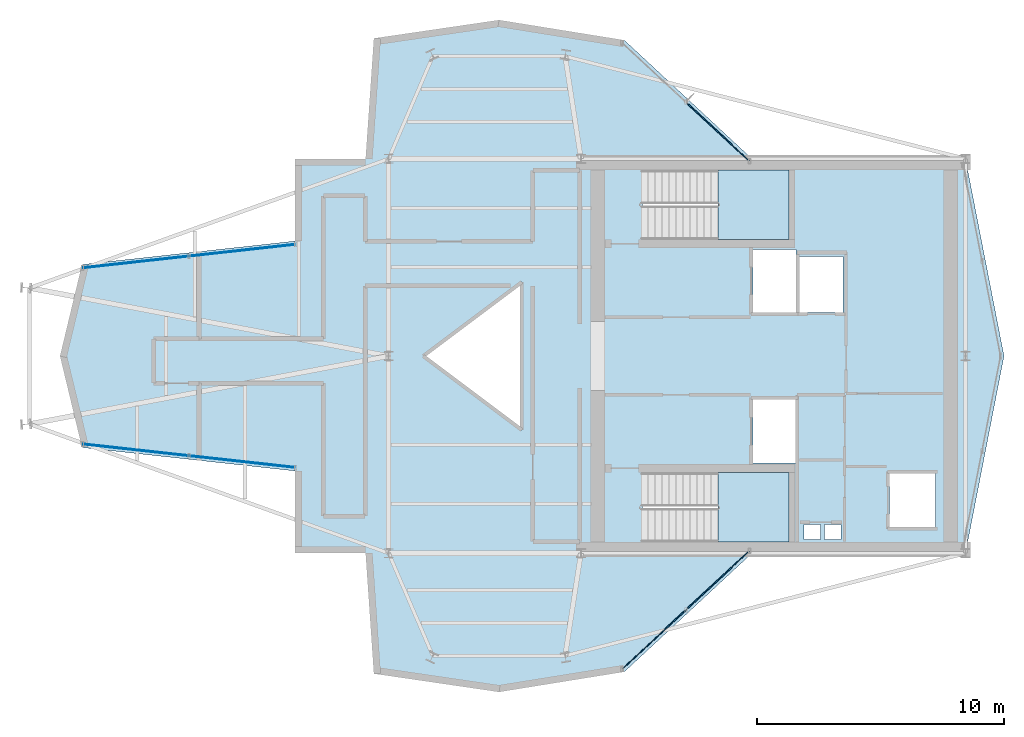
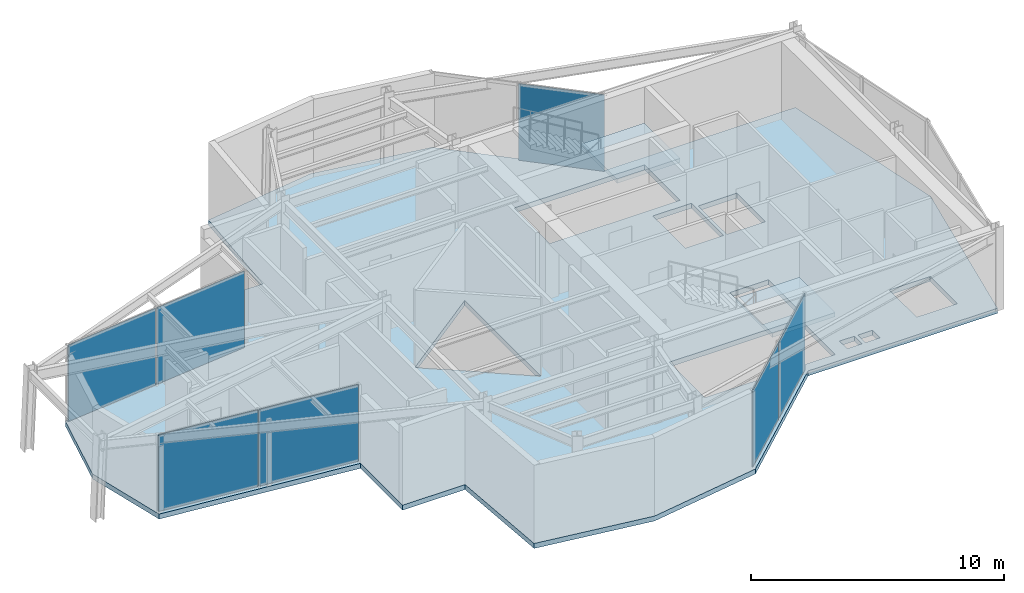
# One storey, part 7 of 11: 7 plates, 3 slabs, 6 elements without a shape of their own.
"""IFC4 building model written with IfcOpenShell, lengths in metres."""

from ifc_helpers import new_model, si_unit, direction, frame, origin, origin_2d, place, context, subcontext, project, spatial, polyline, rectangle, outline, extrude, material, layer, layer_set, type_object, element, aggregate, save


model = new_model("IFC4")

# Units and contexts
model_context = context("Model", 3, precision=1e-05, world=origin(), true_north=direction((0.0, 1.0)))
body_context = subcontext(model_context, "Body", "Model", "MODEL_VIEW")
ifc_project = project(units=[si_unit("LENGTHUNIT", "METRE"), si_unit("AREAUNIT", "SQUARE_METRE"), si_unit("VOLUMEUNIT", "CUBIC_METRE"), si_unit("PLANEANGLEUNIT", "RADIAN"), si_unit("MASSUNIT", "GRAM", prefix="KILO")], contexts=[model_context])

# Site, building, storey
site_placement = place(None, origin())
site = spatial("IfcSite", under=ifc_project, at=site_placement, CompositionType="ELEMENT")
building_placement = place(site_placement, origin())
building = spatial("IfcBuilding", under=site, at=building_placement, Name="Veymaron Broadcast Tower", CompositionType="ELEMENT")
storey_placement = place(building_placement, frame((0.0, 0.0, 323.550048828125)))
storey = spatial("IfcBuildingStorey", under=building, at=storey_placement, Name="L76", CompositionType="ELEMENT", Elevation=323.550048828125)

# Curtain wall, plate
ifc_material_1 = material(Name="Anodised aluminium AA 6063-T6 and laminated low-E dark glass", Category="aluminium")
ifc_layer_1 = layer(ifc_material_1, 0.179931640625)
ifc_layer_set_1 = layer_set([ifc_layer_1], Name="Anodised aluminium AA 6063-T6 and laminated low-E dark glass")
curtain_wall_type = type_object("IfcCurtainWallType", Name="CW-SYS-06", PredefinedType="NOTDEFINED", material=ifc_layer_set_1)
curtain_wall_1_placement = place(storey_placement, origin())
curtain_wall_1 = element("IfcCurtainWall", 1, at=curtain_wall_1_placement, inside=storey, type_object=curtain_wall_type, Name="L76 dark-glass curtain wall CW-L76-E5-1", PredefinedType="NOTDEFINED")
ifc_material_2 = material(Name="Insulated dark-anodised aluminium spandrel panel 40 mm", Category="aluminium")
ifc_layer_2 = layer(ifc_material_2, 0.0400390625)
ifc_layer_set_2 = layer_set([ifc_layer_2], Name="Insulated dark-anodised aluminium spandrel panel 40 mm")
plate_type = type_object("IfcPlateType", Name="CW-PNL-03", PredefinedType="CURTAIN_PANEL", material=ifc_layer_set_2)
plate_1_placement = place(storey_placement, frame((44.548828125, 33.1005859375, 0.0400390625), z_axis=(0.0, 0.0, 1.0), x_axis=(-0.732566659982, 0.680695297973, 0.0)))
plate_1 = element("IfcPlate", 2, at=plate_1_placement, type_object=plate_type, Name="CW-L76-E5-1 unitised curtain panel 0", PredefinedType="CURTAIN_PANEL", context=body_context, shape_type="SweptSolid", body=[
    extrude(rectangle(XDim=3.47509765625, YDim=0.0400390625, at=origin_2d()), origin(), (0.0, 0.0, 1.0), 3.68994140625),
])
aggregate(curtain_wall_1, [plate_1])

# Curtain wall, plates
curtain_wall_2_placement = place(storey_placement, origin())
curtain_wall_2 = element("IfcCurtainWall", 3, at=curtain_wall_2_placement, inside=storey, type_object=curtain_wall_type, Name="L76 dark-glass curtain wall CW-L76-E11-1", PredefinedType="NOTDEFINED")
plate_2_placement = place(storey_placement, frame((25.262451171875, 28.287353515625, 0.0400390625), z_axis=(0.0, 0.0, 1.0), x_axis=(-0.993995380455, -0.109422043637, 0.0)))
plate_2 = element("IfcPlate", 4, at=plate_2_placement, type_object=plate_type, Name="CW-L76-E11-1 unitised curtain panel 0", PredefinedType="CURTAIN_PANEL", context=body_context, shape_type="SweptSolid", body=[
    extrude(rectangle(XDim=4.291015625, YDim=0.0400390625, at=origin_2d()), origin(), (0.0, 0.0, 1.0), 3.68994140625),
])
plate_3_placement = place(storey_placement, frame((20.937744140625, 27.811279296875, 0.0400390625), z_axis=(0.0, 0.0, 1.0), x_axis=(-0.993995380455, -0.109422043637, 0.0)))
plate_3 = element("IfcPlate", 5, at=plate_3_placement, type_object=plate_type, Name="CW-L76-E11-1 unitised curtain panel 1", PredefinedType="CURTAIN_PANEL", context=body_context, shape_type="SweptSolid", body=[
    extrude(rectangle(XDim=4.291015625, YDim=0.0400390625, at=origin_2d()), origin(), (0.0, 0.0, 1.0), 3.68994140625),
])
aggregate(curtain_wall_2, [plate_2, plate_3])

curtain_wall_3_placement = place(storey_placement, origin())
curtain_wall_3 = element("IfcCurtainWall", 6, at=curtain_wall_3_placement, inside=storey, type_object=curtain_wall_type, Name="L76 dark-glass curtain wall CW-L76-E14-1", PredefinedType="NOTDEFINED")
plate_4_placement = place(storey_placement, frame((20.937744140625, 20.188720703125, 0.0400390625), z_axis=(0.0, 0.0, 1.0), x_axis=(0.993995380455, -0.109422043637, 0.0)))
plate_4 = element("IfcPlate", 7, at=plate_4_placement, type_object=plate_type, Name="CW-L76-E14-1 unitised curtain panel 0", PredefinedType="CURTAIN_PANEL", context=body_context, shape_type="SweptSolid", body=[
    extrude(rectangle(XDim=4.291015625, YDim=0.0400390625, at=origin_2d()), origin(), (0.0, 0.0, 1.0), 3.68994140625),
])
plate_5_placement = place(storey_placement, frame((25.262451171875, 19.712646484375, 0.0400390625), z_axis=(0.0, 0.0, 1.0), x_axis=(0.993995380455, -0.109422043637, 0.0)))
plate_5 = element("IfcPlate", 8, at=plate_5_placement, type_object=plate_type, Name="CW-L76-E14-1 unitised curtain panel 1", PredefinedType="CURTAIN_PANEL", context=body_context, shape_type="SweptSolid", body=[
    extrude(rectangle(XDim=4.291015625, YDim=0.0400390625, at=origin_2d()), origin(), (0.0, 0.0, 1.0), 3.68994140625),
])
aggregate(curtain_wall_3, [plate_4, plate_5])

curtain_wall_4_placement = place(storey_placement, origin())
curtain_wall_4 = element("IfcCurtainWall", 9, at=curtain_wall_4_placement, inside=storey, type_object=curtain_wall_type, Name="L76 dark-glass curtain wall CW-L76-E20-1", PredefinedType="NOTDEFINED")
plate_6_placement = place(storey_placement, frame((41.958984375, 12.492919921875, 0.0400390625), z_axis=(0.0, 0.0, 1.0), x_axis=(0.732566659982, 0.680695297973, 0.0)))
plate_6 = element("IfcPlate", 10, at=plate_6_placement, type_object=plate_type, Name="CW-L76-E20-1 unitised curtain panel 0", PredefinedType="CURTAIN_PANEL", context=body_context, shape_type="SweptSolid", body=[
    extrude(rectangle(XDim=3.47509765625, YDim=0.0400390625, at=origin_2d()), origin(), (0.0, 0.0, 1.0), 3.68994140625),
])
plate_7_placement = place(storey_placement, frame((44.548828125, 14.8994140625, 0.0400390625), z_axis=(0.0, 0.0, 1.0), x_axis=(0.732566659982, 0.680695297973, 0.0)))
plate_7 = element("IfcPlate", 11, at=plate_7_placement, type_object=plate_type, Name="CW-L76-E20-1 unitised curtain panel 1", PredefinedType="CURTAIN_PANEL", context=body_context, shape_type="SweptSolid", body=[
    extrude(rectangle(XDim=3.47509765625, YDim=0.0400390625, at=origin_2d()), origin(), (0.0, 0.0, 1.0), 3.68994140625),
])
aggregate(curtain_wall_4, [plate_6, plate_7])

# Slab
ifc_material_3 = material(Name="Concrete C40/50", Category="concrete")
ifc_layer_3 = layer(ifc_material_3, 0.239990234375)
ifc_layer_set_3 = layer_set([ifc_layer_3], Name="Concrete C40/50")
slab_type_1 = type_object("IfcSlabType", Name="SLAB-FS6", PredefinedType="FLOOR", material=ifc_layer_set_3)
slab_1_placement = place(storey_placement, frame((0.0, 0.0, -0.239990234375)))
element("IfcSlab", 12, at=slab_1_placement, inside=storey, type_object=slab_type_1, Name="L76 structural floor slab", PredefinedType="FLOOR", context=body_context, shape_type="SweptSolid", body=[
    extrude(outline(polyline([(45.93896484375, 16.0), (54.60009765625, 16.0), (56.162353515625, 24.0), (54.60009765625, 32.0), (45.93896484375, 32.0), (40.759521484375, 36.812744140625), (35.67919921875, 37.631103515625), (30.59912109375, 36.88720703125), (30.264404296875, 32.0), (27.40966796875, 32.0), (27.40966796875, 28.664794921875), (18.760009765625, 27.71240234375), (17.8671875, 24.0), (18.760009765625, 20.28759765625), (27.40966796875, 19.335205078125), (27.40966796875, 16.0), (30.264404296875, 16.0), (30.59912109375, 11.11279296875), (35.67919921875, 10.368896484375), (40.759521484375, 11.187255859375), (45.93896484375, 16.0)]), holes=[polyline([(45.969970703125, 28.330078125), (47.72998046875, 28.330078125), (47.72998046875, 25.77001953125), (45.969970703125, 25.77001953125), (45.969970703125, 28.330078125)]), polyline([(45.969970703125, 22.22998046875), (47.72998046875, 22.22998046875), (47.72998046875, 19.669921875), (45.969970703125, 19.669921875), (45.969970703125, 22.22998046875)]), polyline([(47.8701171875, 28.030029296875), (49.6298828125, 28.030029296875), (49.6298828125, 25.77001953125), (47.8701171875, 25.77001953125), (47.8701171875, 28.030029296875)]), polyline([(51.52001953125, 19.22998046875), (53.3798828125, 19.22998046875), (53.3798828125, 17.070068359375), (51.52001953125, 17.070068359375), (51.52001953125, 19.22998046875)]), polyline([(48.050048828125, 17.159912109375), (48.719970703125, 17.159912109375), (48.719970703125, 16.56005859375), (48.050048828125, 16.56005859375), (48.050048828125, 17.159912109375)]), polyline([(48.8798828125, 17.159912109375), (49.550048828125, 17.159912109375), (49.550048828125, 16.56005859375), (48.8798828125, 16.56005859375), (48.8798828125, 17.159912109375)]), polyline([(36.60009765625, 27.0), (36.60009765625, 21.0), (32.60009765625, 24.0), (36.60009765625, 27.0)]), polyline([(41.489990234375, 31.550048828125), (47.43994140625, 31.550048828125), (47.43994140625, 28.72998046875), (41.489990234375, 28.72998046875), (41.489990234375, 31.550048828125)]), polyline([(41.489990234375, 19.27001953125), (47.43994140625, 19.27001953125), (47.43994140625, 16.449951171875), (41.489990234375, 16.449951171875), (41.489990234375, 19.27001953125)])]), origin(), (0.0, 0.0, 1.0), 0.239990234375),
])

# Stair, slab
ifc_material_4 = material(Name="Concrete C50/60", Category="concrete")
stair_type_1 = type_object("IfcStairType", Name="STAIR-CORE-1", PredefinedType="HALF_TURN_STAIR", material=ifc_material_4)
stair_1_placement = place(storey_placement, origin())
stair_1 = element("IfcStair", 13, at=stair_1_placement, inside=storey, type_object=stair_type_1, Name="L76 North protected dog-leg exit stair ST1", PredefinedType="HALF_TURN_STAIR")
ifc_layer_4 = layer(ifc_material_4, 0.199951171875)
ifc_layer_set_4 = layer_set([ifc_layer_4], Name="Concrete C50/60")
slab_type_2 = type_object("IfcSlabType", Name="SLAB-STAIR-LDG", PredefinedType="LANDING", material=ifc_layer_set_4)
slab_2_placement = place(storey_placement, frame((0.0, 0.0, 1.824951171875)))
slab_2 = element("IfcSlab", 14, at=slab_2_placement, type_object=slab_type_2, Name="ST1 landing 1", PredefinedType="LANDING", context=body_context, shape_type="SweptSolid", body=[
    extrude(outline(polyline([(44.56494140625, 28.72998046875), (47.43994140625, 28.72998046875), (47.43994140625, 31.550048828125), (44.56494140625, 31.550048828125), (44.56494140625, 28.72998046875)])), origin(), (0.0, 0.0, 1.0), 0.199951171875),
])
aggregate(stair_1, [slab_2])

stair_type_2 = type_object("IfcStairType", Name="STAIR-CORE-2", PredefinedType="HALF_TURN_STAIR", material=ifc_material_4)
stair_2_placement = place(storey_placement, origin())
stair_2 = element("IfcStair", 15, at=stair_2_placement, inside=storey, type_object=stair_type_2, Name="L76 South protected dog-leg exit stair ST2", PredefinedType="HALF_TURN_STAIR")
slab_3_placement = place(storey_placement, frame((0.0, 0.0, 1.824951171875)))
slab_3 = element("IfcSlab", 16, at=slab_3_placement, type_object=slab_type_2, Name="ST2 landing 1", PredefinedType="LANDING", context=body_context, shape_type="SweptSolid", body=[
    extrude(outline(polyline([(44.56494140625, 16.449951171875), (47.43994140625, 16.449951171875), (47.43994140625, 19.27001953125), (44.56494140625, 19.27001953125), (44.56494140625, 16.449951171875)])), origin(), (0.0, 0.0, 1.0), 0.199951171875),
])
aggregate(stair_2, [slab_3])

save(model, "model.ifc")
